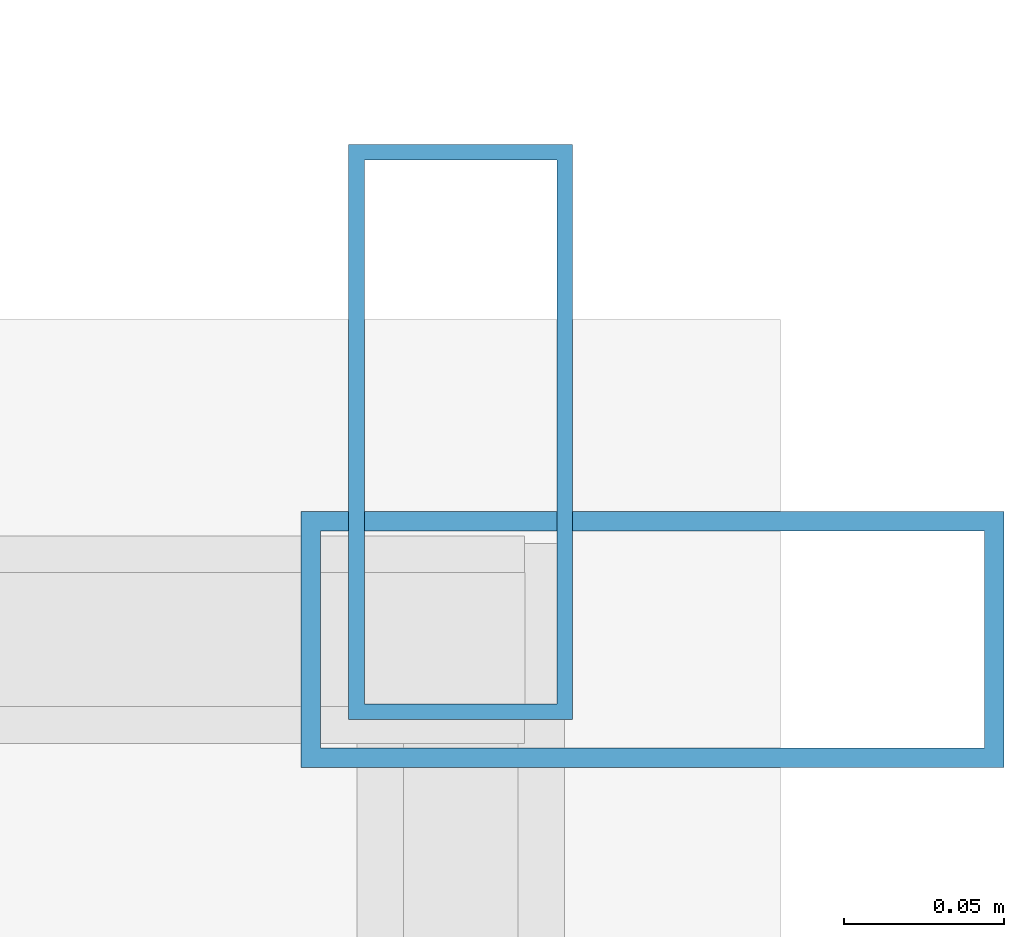
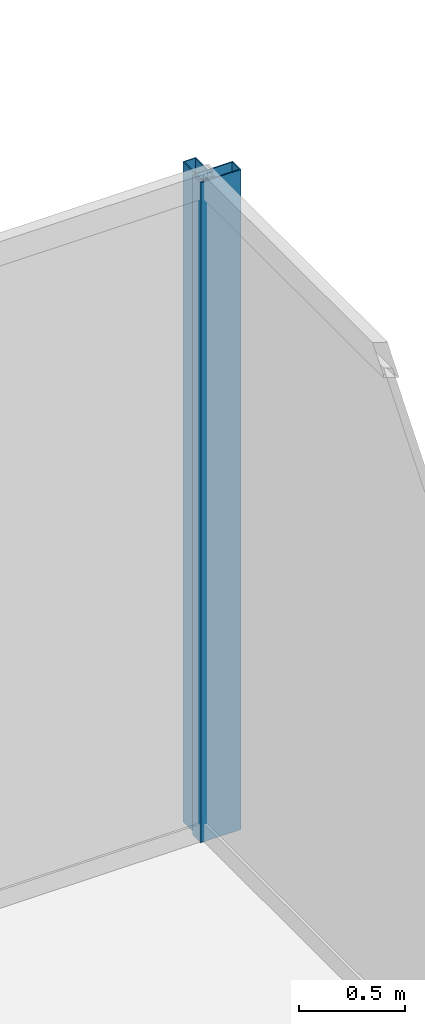
# One storey, part 26 of 33: 2 members, 2 elements without a shape of their own.
"""IFC4 building model written with IfcOpenShell, lengths in metres."""

from ifc_helpers import new_model, si_unit, direction, frame, origin, origin_2d, place, context, subcontext, project, spatial, hollow_rectangle, extrude, source, transform, mapped, material, layer, layer_set, material_profile, profile_set, type_object, type_shapes, element, aggregate, save


model = new_model("IFC4")

# Units and contexts
model_context = context("Model", 3, precision=1e-05, world=origin(), true_north=direction((0.0, 1.0)))
body_context = subcontext(model_context, "Body", "Model", "MODEL_VIEW")
ifc_project = project(units=[si_unit("LENGTHUNIT", "METRE"), si_unit("AREAUNIT", "SQUARE_METRE"), si_unit("VOLUMEUNIT", "CUBIC_METRE"), si_unit("PLANEANGLEUNIT", "RADIAN"), si_unit("MASSUNIT", "GRAM", prefix="KILO")], contexts=[model_context])

# Site, building, storey
site_placement = place(None, origin())
site = spatial("IfcSite", under=ifc_project, at=site_placement, CompositionType="ELEMENT")
building_placement = place(site_placement, origin())
building = spatial("IfcBuilding", under=site, at=building_placement, Name="Haelvirn Gate Laboratories", CompositionType="ELEMENT")
storey_placement = place(building_placement, frame((0.0, 0.0, 230.10009765625)))
storey = spatial("IfcBuildingStorey", under=building, at=storey_placement, Name="L55", CompositionType="ELEMENT", Elevation=230.10009765625)

# Curtain wall, member
ifc_material_1 = material(Name="Anodised bronze unitised aluminium & triple low-E glass", Category="aluminium")
ifc_layer_1 = layer(ifc_material_1, 0.176025390625, Name="CW-SYS-4")
ifc_layer_set_1 = layer_set([ifc_layer_1], Name="Anodised bronze unitised aluminium & triple low-E glass")
curtain_wall_type_1 = type_object("IfcCurtainWallType", Name="CW-SYS-4", PredefinedType="NOTDEFINED", material=ifc_layer_set_1)
curtain_wall_1_placement = place(storey_placement, origin())
curtain_wall_1 = element("IfcCurtainWall", 1, at=curtain_wall_1_placement, inside=storey, type_object=curtain_wall_type_1, Name="L55 Unitised Curtain Wall CW-L55-P0-E07", PredefinedType="NOTDEFINED")
ifc_material_2 = material(Name="Extruded aluminium 6063-T6 (anodised bronze)", Category="aluminium")
ifc_material_profile_1 = material_profile(ifc_material_2, hollow_rectangle(XDim=0.070068359375, YDim=0.179931640625, WallThickness=0.0048828125, at=origin_2d()), Name="CWM-180x70x5")
ifc_profile_set_1 = profile_set([ifc_material_profile_1], Name="Extruded aluminium 6063-T6 (anodised bronze)")
member_type_1 = type_object("IfcMemberType", Name="CWM-T180", PredefinedType="MULLION", material=ifc_profile_set_1)
shared_shape_1 = source(origin(), body_context, "Body", "SweptSolid", [
    extrude(hollow_rectangle(XDim=0.070068359375, YDim=0.179931640625, WallThickness=0.0048828125, at=origin_2d()), origin(), (0.0, 0.0, 1.0), 3.7998046875),
])
type_shapes(member_type_1, [shared_shape_1])
member_1_placement = place(storey_placement, frame((70.699951171875, 42.764892578125, 0.0), z_axis=(0.0, 0.0, 1.0), x_axis=(-1.0, 0.0, 0.0)))
member_1 = element("IfcMember", 2, at=member_1_placement, type_object=member_type_1, Name="CW4 mullion 3", PredefinedType="MULLION", context=body_context, shape_type="MappedRepresentation", body=[
    mapped(shared_shape_1, transform((0.0, 0.0, 0.0), scale=1.0)),
])
aggregate(curtain_wall_1, [member_1])

ifc_layer_2 = layer(ifc_material_1, 0.181884765625, Name="CW-SYS-5")
ifc_layer_set_2 = layer_set([ifc_layer_2], Name="Anodised bronze unitised aluminium & triple low-E glass")
curtain_wall_type_2 = type_object("IfcCurtainWallType", Name="CW-SYS-5", PredefinedType="NOTDEFINED", material=ifc_layer_set_2)
curtain_wall_2_placement = place(storey_placement, origin())
curtain_wall_2 = element("IfcCurtainWall", 3, at=curtain_wall_2_placement, inside=storey, type_object=curtain_wall_type_2, Name="L55 Unitised Curtain Wall CW-L55-P0-E08-1", PredefinedType="NOTDEFINED")
ifc_material_profile_2 = material_profile(ifc_material_2, hollow_rectangle(XDim=0.080078125, YDim=0.219970703125, WallThickness=0.006103515625, at=origin_2d()), Name="CWM-220x80x6")
ifc_profile_set_2 = profile_set([ifc_material_profile_2], Name="Extruded aluminium 6063-T6 (anodised bronze)")
member_type_2 = type_object("IfcMemberType", Name="CWM-T220", PredefinedType="MULLION", material=ifc_profile_set_2)
shared_shape_2 = source(origin(), body_context, "Body", "SweptSolid", [
    extrude(hollow_rectangle(XDim=0.080078125, YDim=0.219970703125, WallThickness=0.006103515625, at=origin_2d()), origin(), (0.0, 0.0, 1.0), 3.7998046875),
])
type_shapes(member_type_2, [shared_shape_2])
member_2_placement = place(storey_placement, frame((70.760009765625, 42.699951171875, 0.0), z_axis=(0.0, 0.0, 1.0), x_axis=(0.0, 1.0, 0.0)))
member_2 = element("IfcMember", 4, at=member_2_placement, type_object=member_type_2, Name="CW5 mullion 2", PredefinedType="MULLION", context=body_context, shape_type="MappedRepresentation", body=[
    mapped(shared_shape_2, transform((0.0, 0.0, 0.0), scale=1.0)),
])
aggregate(curtain_wall_2, [member_2])

save(model, "model.ifc")
